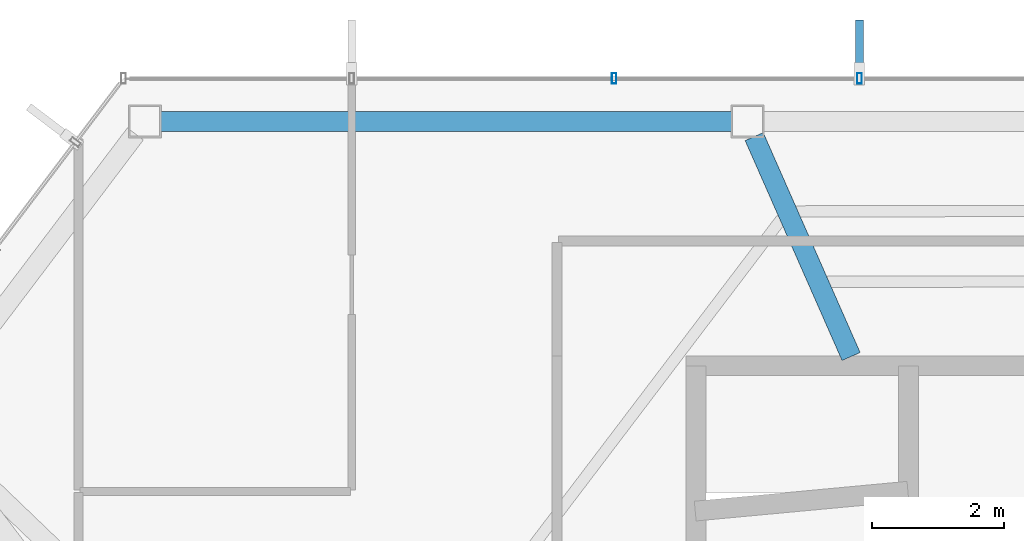
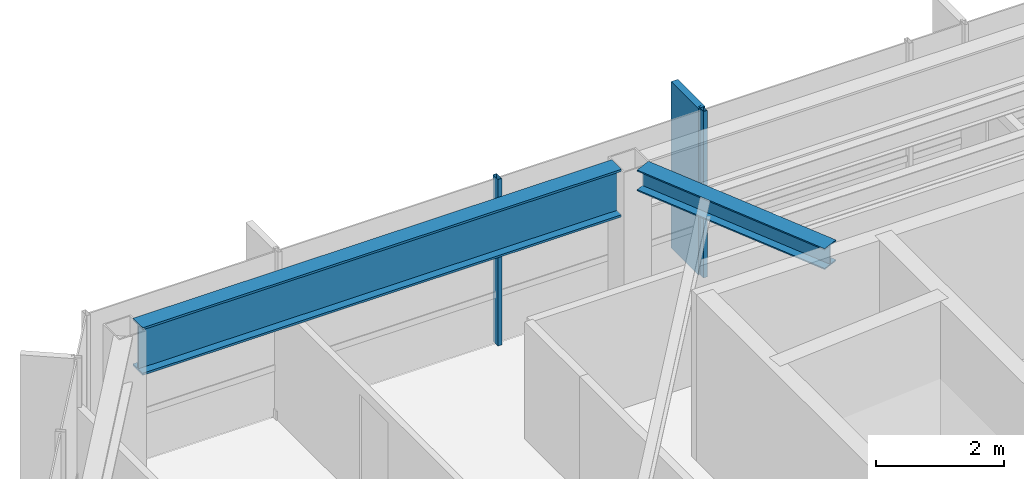
# One storey, part 11 of 24: 3 members, 2 beams, 1 element without a shape of its own.
"""IFC4 building model written with IfcOpenShell, lengths in metres."""

from ifc_helpers import new_model, si_unit, direction, frame, origin, origin_2d, place, context, subcontext, project, spatial, rectangle, hollow_rectangle, i_section, extrude, material, layer, layer_set, material_profile, profile_set, type_object, element, aggregate, save


model = new_model("IFC4")

# Units and contexts
model_context = context("Model", 3, precision=1e-05, world=origin(), true_north=direction((0.0, 1.0)))
body_context = subcontext(model_context, "Body", "Model", "MODEL_VIEW")
ifc_project = project(units=[si_unit("LENGTHUNIT", "METRE"), si_unit("AREAUNIT", "SQUARE_METRE"), si_unit("VOLUMEUNIT", "CUBIC_METRE"), si_unit("PLANEANGLEUNIT", "RADIAN"), si_unit("MASSUNIT", "GRAM", prefix="KILO")], contexts=[model_context])

# Site, building, storey
site_placement = place(None, origin())
site = spatial("IfcSite", under=ifc_project, at=site_placement, CompositionType="ELEMENT")
building_placement = place(site_placement, origin())
building = spatial("IfcBuilding", under=site, at=building_placement, Name="Zarrinselat Tower", CompositionType="ELEMENT")
storey_placement = place(building_placement, frame((0.0, 0.0, 268.60009765625)))
storey = spatial("IfcBuildingStorey", under=building, at=storey_placement, Name="L68", CompositionType="ELEMENT", Elevation=268.60009765625)

# Beams
ifc_material_1 = material(Name="Steel S355J2", Category="steel")
ifc_material_profile_1 = material_profile(ifc_material_1, i_section(OverallWidth=0.300048828125, OverallDepth=0.39990234375, WebThickness=0.013427734375, FlangeThickness=0.02392578125, at=origin_2d()), Name="HEB 400")
ifc_profile_set_1 = profile_set([ifc_material_profile_1], Name="Steel S355J2")
beam_type_1 = type_object("IfcBeamType", Name="BM-HEB400", PredefinedType="BEAM", material=ifc_profile_set_1)
beam_1_placement = place(storey_placement, frame((29.532958984375, 46.869384765625, 2.97998046875), z_axis=(0.403228794542, -0.9150991964, 0.0), x_axis=(0.9150991964, 0.403228794542, 0.0)))
element("IfcBeam", 1, at=beam_1_placement, inside=storey, type_object=beam_type_1, Name="L68 Radial Primary Girder RG04", PredefinedType="BEAM", context=body_context, shape_type="SweptSolid", body=[
    extrude(i_section(OverallWidth=0.300048828125, OverallDepth=0.39990234375, WebThickness=0.013427734375, FlangeThickness=0.02392578125, at=origin_2d()), origin(), (0.0, 0.0, 1.0), 3.63818359375),
])
ifc_material_2 = material(Name="Steel S460M", Category="steel")
ifc_material_profile_2 = material_profile(ifc_material_2, i_section(OverallWidth=0.302001953125, OverallDepth=0.909912109375, WebThickness=0.02099609375, FlangeThickness=0.0400390625, at=origin_2d()), Name="HEM 900")
ifc_profile_set_2 = profile_set([ifc_material_profile_2], Name="Steel S460M")
beam_type_2 = type_object("IfcBeamType", Name="BM-HEM900", PredefinedType="BEAM", material=ifc_profile_set_2)
beam_2_placement = place(storey_placement, frame((20.545166015625, 47.10009765625, 2.724853515625), z_axis=(1.0, 0.0, 0.0), x_axis=(0.0, 1.0, 0.0)))
element("IfcBeam", 2, at=beam_2_placement, inside=storey, type_object=beam_type_2, Name="L68 Perimeter Spandrel Girder SP04", PredefinedType="BEAM", context=body_context, shape_type="SweptSolid", body=[
    extrude(i_section(OverallWidth=0.302001953125, OverallDepth=0.909912109375, WebThickness=0.02099609375, FlangeThickness=0.0400390625, at=origin_2d()), origin(), (0.0, 0.0, 1.0), 8.648193359375),
])

# Curtain wall, members
ifc_material_3 = material(Name="Extruded Aluminium Alloy EN AW-6063 T6", Category="aluminium")
ifc_layer = layer(ifc_material_3, 0.169921875)
ifc_layer_set = layer_set([ifc_layer], Name="Extruded Aluminium Alloy EN AW-6063 T6")
curtain_wall_type = type_object("IfcCurtainWallType", Name="CWS-RES", PredefinedType="NOTDEFINED", material=ifc_layer_set)
curtain_wall_placement = place(storey_placement, origin())
curtain_wall = element("IfcCurtainWall", 3, at=curtain_wall_placement, inside=storey, type_object=curtain_wall_type, Name="L68 Unitised Curtain Wall CW-L68-E01", PredefinedType="NOTDEFINED")
ifc_material_4 = material(Name="Extruded Aluminium Alloy EN AW-6063 T6", Category="aluminium")
ifc_material_profile_3 = material_profile(ifc_material_4, hollow_rectangle(XDim=0.070068359375, YDim=0.159912109375, WallThickness=0.00390625, at=origin_2d()), Name="RHS 160x70x4")
ifc_profile_set_3 = profile_set([ifc_material_profile_3], Name="Extruded Aluminium Alloy EN AW-6063 T6")
member_type_1 = type_object("IfcMemberType", Name="MEM-CW-MUL2", PredefinedType="MULLION", material=ifc_profile_set_3)
member_1_placement = place(storey_placement, frame((31.12646484375, 47.75, 0.0), z_axis=(0.0, 0.0, 1.0), x_axis=(-1.0, 0.0, 0.0)))
member_1 = element("IfcMember", 4, at=member_1_placement, type_object=member_type_1, Name="CW-L68-E01 Mullion 9", PredefinedType="MULLION", context=body_context, shape_type="SweptSolid", body=[
    extrude(hollow_rectangle(XDim=0.070068359375, YDim=0.159912109375, WallThickness=0.00390625, at=origin_2d()), origin(), (0.0, 0.0, 1.0), 3.179931640625),
])
member_2_placement = place(storey_placement, frame((27.412353515625, 47.75, 0.0), z_axis=(0.0, 0.0, 1.0), x_axis=(-1.0, 0.0, 0.0)))
member_2 = element("IfcMember", 5, at=member_2_placement, type_object=member_type_1, Name="CW-L68-E01 Mullion 10", PredefinedType="MULLION", context=body_context, shape_type="SweptSolid", body=[
    extrude(hollow_rectangle(XDim=0.070068359375, YDim=0.159912109375, WallThickness=0.00390625, at=origin_2d()), origin(), (0.0, 0.0, 1.0), 3.179931640625),
])
ifc_material_5 = material(Name="Honed Cream Travertine Stone", Category="masonry")
ifc_material_profile_4 = material_profile(ifc_material_5, rectangle(XDim=0.1201171875, YDim=0.85009765625, at=origin_2d()), Name="FIN 850x120")
ifc_profile_set_4 = profile_set([ifc_material_profile_4], Name="Honed Cream Travertine Stone")
member_type_2 = type_object("IfcMemberType", Name="MEM-STONE-FIN", PredefinedType="USERDEFINED", material=ifc_profile_set_4)
member_3_placement = place(storey_placement, frame((31.12646484375, 48.2099609375, 0.0), z_axis=(0.0, 0.0, 1.0), x_axis=(1.0, 0.0, 0.0)))
member_3 = element("IfcMember", 6, at=member_3_placement, type_object=member_type_2, Name="L68 Stone Shading Fin CW-L68-E01-09", ObjectType="FIN", PredefinedType="USERDEFINED", context=body_context, shape_type="SweptSolid", body=[
    extrude(rectangle(XDim=0.1201171875, YDim=0.85009765625, at=origin_2d()), origin(), (0.0, 0.0, 1.0), 3.179931640625),
])
aggregate(curtain_wall, [member_1, member_3, member_2])

save(model, "model.ifc")
